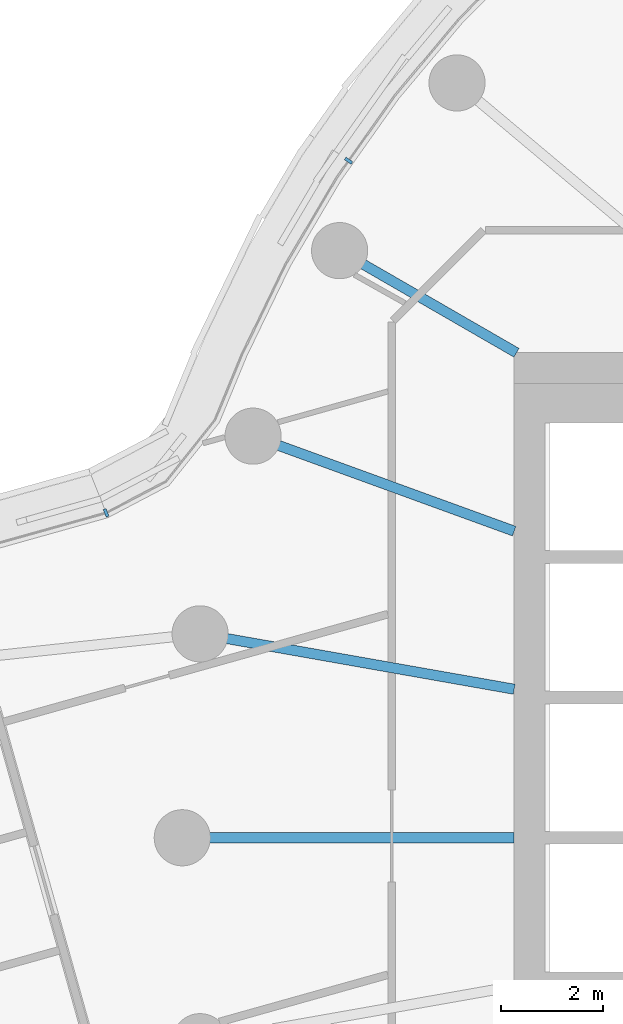
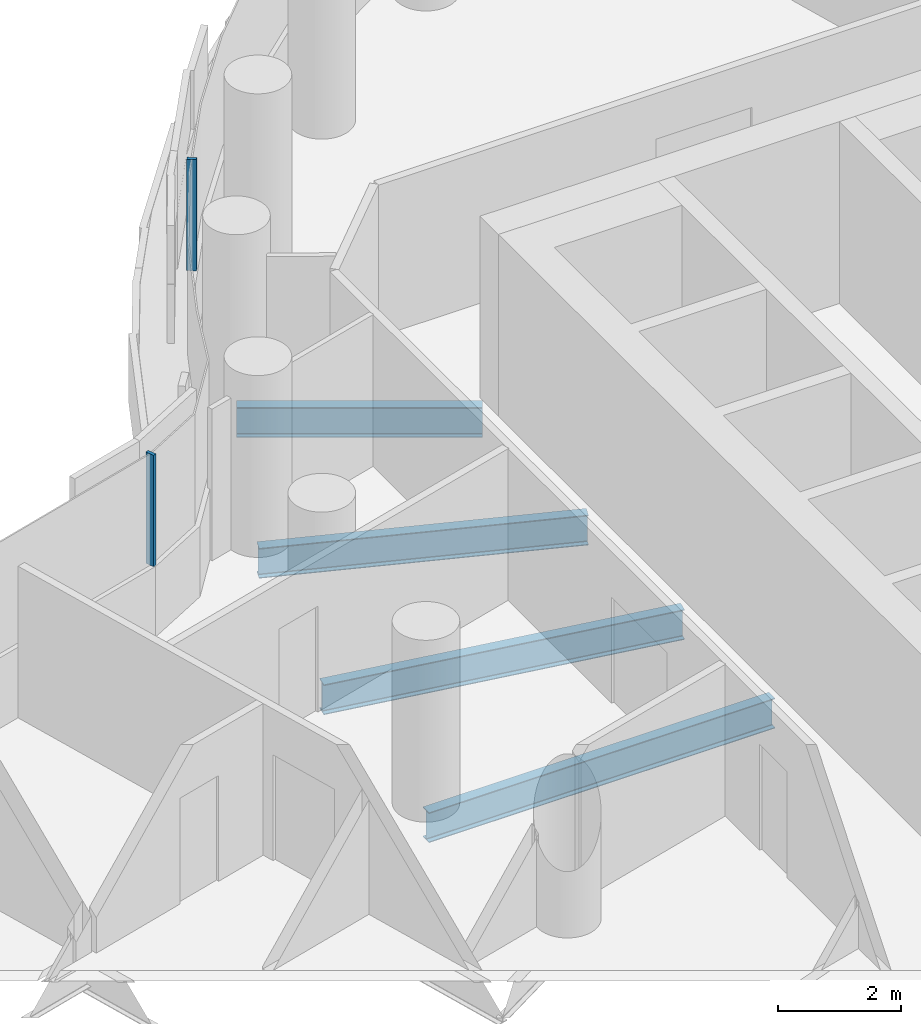
# One storey, part 7 of 30: 4 beams, 2 members, 2 elements without a shape of their own.
"""IFC4 building model written with IfcOpenShell, lengths in metres."""

from ifc_helpers import new_model, si_unit, direction, frame, origin, origin_2d, place, context, subcontext, project, spatial, rectangle, i_section, extrude, material, layer, layer_set, material_profile, profile_set, type_object, element, aggregate, save


model = new_model("IFC4")

# Units and contexts
model_context = context("Model", 3, precision=1e-05, world=origin(), true_north=direction((0.0, 1.0)))
body_context = subcontext(model_context, "Body", "Model", "MODEL_VIEW")
ifc_project = project(units=[si_unit("LENGTHUNIT", "METRE"), si_unit("AREAUNIT", "SQUARE_METRE"), si_unit("VOLUMEUNIT", "CUBIC_METRE"), si_unit("PLANEANGLEUNIT", "RADIAN"), si_unit("MASSUNIT", "GRAM", prefix="KILO")], contexts=[model_context])

# Site, building, storey
site_placement = place(None, origin())
site = spatial("IfcSite", under=ifc_project, at=site_placement, CompositionType="ELEMENT")
building_placement = place(site_placement, origin())
building = spatial("IfcBuilding", under=site, at=building_placement, Name="Tamarind Cross Interchange Tower", CompositionType="ELEMENT")
storey_placement = place(building_placement, frame((0.0, 0.0, 91.0)))
storey = spatial("IfcBuildingStorey", under=building, at=storey_placement, Name="L21", CompositionType="ELEMENT", Elevation=91.0)

# Beams
ifc_material_1 = material(Name="Steel Q355B", Category="steel")
ifc_material_profile_1 = material_profile(ifc_material_1, i_section(OverallWidth=0.198974609375, OverallDepth=0.595947265625, WebThickness=0.010009765625, FlangeThickness=0.014892578125, FilletRadius=0.012939453125, at=origin_2d()), Name="HN 596x199x10x15")
ifc_profile_set_1 = profile_set([ifc_material_profile_1], Name="Steel Q355B")
beam_type = type_object("IfcBeamType", Name="Composite beam HN 596x199x10x15 Q355B", PredefinedType="BEAM", material=ifc_profile_set_1)
beam_1_placement = place(storey_placement, frame((-19.918701171875, 11.5, -0.43798828125), z_axis=(0.866026010844, -0.49999894854, 0.0), x_axis=(0.49999894854, 0.866026010844, 0.0)))
element("IfcBeam", 1, at=beam_1_placement, inside=storey, type_object=beam_type, Name="Beam HH15", PredefinedType="BEAM", context=body_context, shape_type="SweptSolid", body=[
    extrude(i_section(OverallWidth=0.198974609375, OverallDepth=0.595947265625, WebThickness=0.010009765625, FlangeThickness=0.014892578125, FilletRadius=0.012939453125, at=origin_2d()), origin(), (0.0, 0.0, 1.0), 4.0),
])
beam_2_placement = place(storey_placement, frame((-21.613037109375, 7.866455078125, -0.43798828125), z_axis=(0.939701685589, -0.341995236956, 0.0), x_axis=(0.341995236956, 0.939701685589, 0.0)))
element("IfcBeam", 2, at=beam_2_placement, inside=storey, type_object=beam_type, Name="Beam HH16", PredefinedType="BEAM", context=body_context, shape_type="SweptSolid", body=[
    extrude(i_section(OverallWidth=0.198974609375, OverallDepth=0.595947265625, WebThickness=0.010009765625, FlangeThickness=0.014892578125, FilletRadius=0.012939453125, at=origin_2d()), origin(), (0.0, 0.0, 1.0), 5.441162109375),
])
beam_3_placement = place(storey_placement, frame((-22.650634765625, 3.993896484375, -0.43798828125), z_axis=(0.984809127561, -0.173640382036, 0.0), x_axis=(0.173640382036, 0.984809127561, 0.0)))
element("IfcBeam", 3, at=beam_3_placement, inside=storey, type_object=beam_type, Name="Beam HH17", PredefinedType="BEAM", context=body_context, shape_type="SweptSolid", body=[
    extrude(i_section(OverallWidth=0.198974609375, OverallDepth=0.595947265625, WebThickness=0.010009765625, FlangeThickness=0.014892578125, FilletRadius=0.012939453125, at=origin_2d()), origin(), (0.0, 0.0, 1.0), 6.24560546875),
])
beam_4_placement = place(storey_placement, frame((-23.0, 0.0, -0.43798828125), z_axis=(1.0, 0.0, 0.0), x_axis=(0.0, 1.0, 0.0)))
element("IfcBeam", 4, at=beam_4_placement, inside=storey, type_object=beam_type, Name="Beam HH18", PredefinedType="BEAM", context=body_context, shape_type="SweptSolid", body=[
    extrude(i_section(OverallWidth=0.198974609375, OverallDepth=0.595947265625, WebThickness=0.010009765625, FlangeThickness=0.014892578125, FilletRadius=0.012939453125, at=origin_2d()), origin(), (0.0, 0.0, 1.0), 6.5),
])

# Curtain wall, member
ifc_material_2 = material(Name="Aluminium 6063-T6", Category="aluminium")
ifc_layer = layer(ifc_material_2, 0.159912109375)
ifc_layer_set = layer_set([ifc_layer], Name="Aluminium 6063-T6")
curtain_wall_type = type_object("IfcCurtainWallType", Name="Office curtain wall, 9.0 m bays", PredefinedType="NOTDEFINED", material=ifc_layer_set)
curtain_wall_1_placement = place(storey_placement, origin())
curtain_wall_1 = element("IfcCurtainWall", 5, at=curtain_wall_1_placement, inside=storey, type_object=curtain_wall_type, Name="CWS-L21-10", PredefinedType="NOTDEFINED")
ifc_material_profile_2 = material_profile(ifc_material_2, rectangle(XDim=0.06005859375, YDim=0.159912109375, at=origin_2d()), Name="Mullion CW1")
ifc_profile_set_2 = profile_set([ifc_material_profile_2], Name="Aluminium 6063-T6")
member_type = type_object("IfcMemberType", Name="Mullion CW1", PredefinedType="MULLION", material=ifc_profile_set_2)
member_1_placement = place(storey_placement, frame((-19.742431640625, 13.260498046875, 1.39990234375), z_axis=(0.0, 0.0, 1.0), x_axis=(-0.577568978284, -0.816341886298, 0.0)))
member_1 = element("IfcMember", 6, at=member_1_placement, type_object=member_type, Name="CWM-L21-10-02", PredefinedType="MULLION", context=body_context, shape_type="SweptSolid", body=[
    extrude(rectangle(XDim=0.06005859375, YDim=0.159912109375, at=origin_2d()), origin(), (0.0, 0.0, 1.0), 2.210205078125),
])
aggregate(curtain_wall_1, [member_1])

curtain_wall_2_placement = place(storey_placement, origin())
curtain_wall_2 = element("IfcCurtainWall", 7, at=curtain_wall_2_placement, inside=storey, type_object=curtain_wall_type, Name="CWS-L21-11", PredefinedType="NOTDEFINED")
member_2_placement = place(storey_placement, frame((-24.4921875, 6.36328125, 1.39990234375), z_axis=(0.0, 0.0, 1.0), x_axis=(-0.929176951283, -0.369635216401, 0.0)))
member_2 = element("IfcMember", 8, at=member_2_placement, type_object=member_type, Name="CWM-L21-11-00", PredefinedType="MULLION", context=body_context, shape_type="SweptSolid", body=[
    extrude(rectangle(XDim=0.06005859375, YDim=0.159912109375, at=origin_2d()), origin(), (0.0, 0.0, 1.0), 2.210205078125),
])
aggregate(curtain_wall_2, [member_2])

save(model, "model.ifc")
